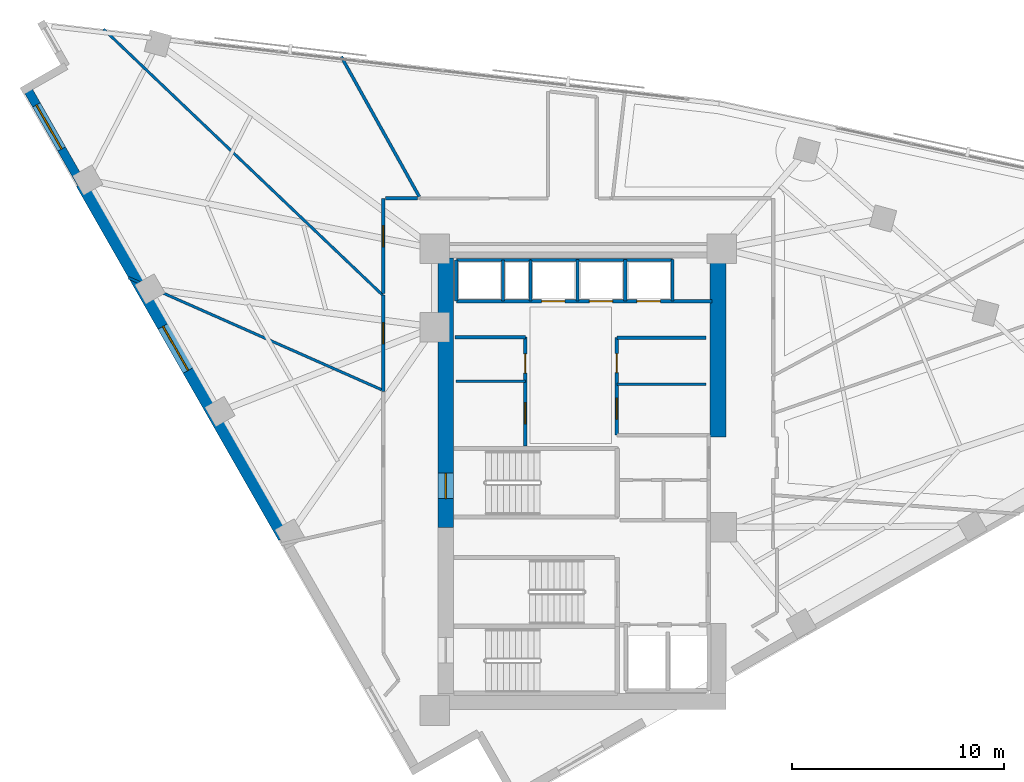
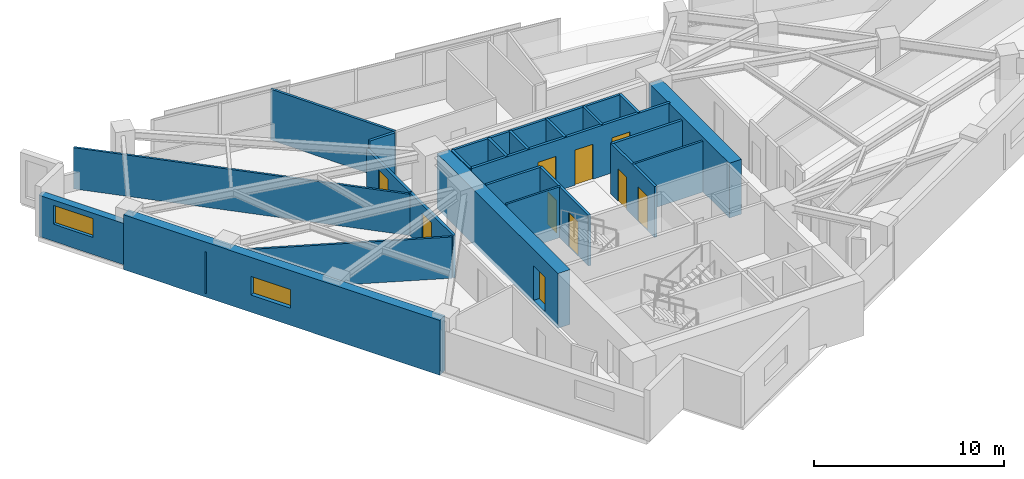
# One storey, part 10 of 14: 25 walls, 10 doors, 2 windows, 12 openings.
"""IFC4 building model written with IfcOpenShell, lengths in metres."""

from ifc_helpers import new_model, si_unit, direction, frame, frame_2d, origin, place, context, subcontext, project, spatial, rectangle, extrude, material, layer, layer_set, type_object, element, fill, save


model = new_model("IFC4")

# Units and contexts
model_context = context("Model", 3, precision=1e-05, world=origin(), true_north=direction((0.0, 1.0)))
body_context = subcontext(model_context, "Body", "Model", "MODEL_VIEW")
ifc_project = project(units=[si_unit("LENGTHUNIT", "METRE"), si_unit("AREAUNIT", "SQUARE_METRE"), si_unit("VOLUMEUNIT", "CUBIC_METRE"), si_unit("PLANEANGLEUNIT", "RADIAN"), si_unit("MASSUNIT", "GRAM", prefix="KILO")], contexts=[model_context])

# Site, building, storey
site_placement = place(None, origin())
site = spatial("IfcSite", under=ifc_project, at=site_placement, CompositionType="ELEMENT")
building_placement = place(site_placement, origin())
building = spatial("IfcBuilding", under=site, at=building_placement, Name="Narakoshi Arena Tower", CompositionType="ELEMENT")
storey_placement = place(building_placement, frame((0.0, 0.0, 218.5)))
storey = spatial("IfcBuildingStorey", under=building, at=storey_placement, Name="L59", CompositionType="ELEMENT", Elevation=218.5)

# Wall, opening, door
ifc_material_1 = material(Name="Concrete C50/60", Category="concrete")
ifc_layer_1 = layer(ifc_material_1, 0.75)
ifc_layer_set_1 = layer_set([ifc_layer_1], Name="Concrete C50/60")
wall_type_1 = type_object("IfcWallType", Name="WL-CORE-750", PredefinedType="SHEAR", material=ifc_layer_set_1)
wall_1_placement = place(storey_placement, frame((72.52490234375, 43.35009765625, -0.260009765625), z_axis=(0.0, 0.0, 1.0), x_axis=(0.0, 1.0, 0.0)))
wall_1 = element("IfcWall", 1, at=wall_1_placement, inside=storey, type_object=wall_type_1, Name="L59 Main Core Shear Wall CW-MN-W", PredefinedType="SHEAR", context=body_context, shape_type="SweptSolid", body=[
    extrude(rectangle(XDim=12.699951171875, YDim=0.75, at=frame_2d((6.35009765625, 0.0))), origin(), (0.0, 0.0, 1.0), 3.52001953125),
])
opening_1_placement = place(wall_1_placement, frame((1.35009765625, 0.0, 0.260009765625)))
opening_1 = element("IfcOpeningElement", 2, at=opening_1_placement, cuts=wall_1, Name="Opening D-03", PredefinedType="OPENING", context=body_context, shape_type="SweptSolid", body=[
    extrude(rectangle(XDim=1.199951171875, YDim=2.199951171875, at=frame_2d((0.60009765625, 1.10009765625))), frame((0.0, 0.385009765625, 0.0), z_axis=(0.0, -1.0, 0.0), x_axis=(1.0, 0.0, 0.0)), (0.0, 0.0, 1.0), 0.77001953125),
])
ifc_material_2 = material(Name="Painted galvanized steel", Category="steel")
door_type_1 = type_object("IfcDoorType", Name="DR-STR-1200", OperationType="NOTDEFINED", PredefinedType="USERDEFINED", material=ifc_material_2)
door_1_placement = place(opening_1_placement, frame((1.199951171875, 0.0, 0.0), z_axis=(0.0, 0.0, 1.0), x_axis=(-1.0, 0.0, 0.0)))
door_1 = element("IfcDoor", 3, at=door_1_placement, inside=storey, type_object=door_type_1, Name="DR-L59-006", ObjectType="EXITDOOR", OperationType="SINGLE_SWING_LEFT", OverallHeight=2.199951171875, OverallWidth=1.199951171875, PredefinedType="USERDEFINED", context=body_context, shape_type="SweptSolid", body=[
    extrude(rectangle(XDim=1.199951171875, YDim=2.199951171875, at=frame_2d((0.60009765625, 1.10009765625))), frame((0.0, 0.02490234375, 0.0), z_axis=(0.0, -1.0, 0.0), x_axis=(1.0, 0.0, 0.0)), (0.0, 0.0, 1.0), 0.050048828125),
])
fill(opening_1, door_1)

# Wall
wall_2_placement = place(storey_placement, frame((85.375, 47.60009765625, -0.260009765625), z_axis=(0.0, 0.0, 1.0), x_axis=(0.0, 1.0, 0.0)))
element("IfcWall", 4, at=wall_2_placement, inside=storey, type_object=wall_type_1, Name="L59 Main Core Shear Wall CW-MN-E", PredefinedType="SHEAR", context=body_context, shape_type="SweptSolid", body=[
    extrude(rectangle(XDim=8.449951171875, YDim=0.75, at=frame_2d((4.22509765625, 0.0))), origin(), (0.0, 0.0, 1.0), 3.52001953125),
])

# Wall, opening, door
ifc_material_3 = material(Name="Gypsum plasterboard fire-rated partition")
ifc_layer_2 = layer(ifc_material_3, 0.1650390625)
ifc_layer_set_2 = layer_set([ifc_layer_2], Name="Gypsum plasterboard fire-rated partition")
wall_type_2 = type_object("IfcWallType", Name="WL-CORR-165", PredefinedType="PARTITIONING", material=ifc_layer_set_2)
wall_3_placement = place(storey_placement, frame((69.577880859375, 54.30322265625, 0.0), z_axis=(0.0, 0.0, 1.0), x_axis=(0.0, -1.0, 0.0)))
wall_3 = element("IfcWall", 5, at=wall_3_placement, inside=storey, type_object=wall_type_2, Name="L59 Corridor Partition 07-1", PredefinedType="PARTITIONING", context=body_context, shape_type="SweptSolid", body=[
    extrude(rectangle(XDim=4.53564453125, YDim=0.1650390625, at=frame_2d((2.267822265625, 0.0))), origin(), (0.0, 0.0, 1.0), 2.7451171875),
])
opening_2_placement = place(wall_3_placement, frame((1.297607421875, 0.0, 0.0)))
opening_2 = element("IfcOpeningElement", 6, at=opening_2_placement, cuts=wall_3, Name="Opening D-06", PredefinedType="OPENING", context=body_context, shape_type="SweptSolid", body=[
    extrude(rectangle(XDim=1.0, YDim=2.199951171875, at=frame_2d((0.5, 1.10009765625))), frame((0.0, 0.092529296875, 0.0), z_axis=(0.0, -1.0, 0.0), x_axis=(1.0, 0.0, 0.0)), (0.0, 0.0, 1.0), 0.18505859375),
])
ifc_material_4 = material(Name="Stained oak solid-core timber", Category="wood")
door_type_2 = type_object("IfcDoorType", Name="DR-OFF-1000", OperationType="NOTDEFINED", PredefinedType="DOOR", material=ifc_material_4)
door_2_placement = place(opening_2_placement, frame((1.0, 0.0, 0.0), z_axis=(0.0, 0.0, 1.0), x_axis=(-1.0, 0.0, 0.0)))
door_2 = element("IfcDoor", 7, at=door_2_placement, inside=storey, type_object=door_type_2, Name="DR-L59-023", OperationType="SINGLE_SWING_LEFT", OverallHeight=2.199951171875, OverallWidth=1.0, PredefinedType="DOOR", context=body_context, shape_type="SweptSolid", body=[
    extrude(rectangle(XDim=1.0, YDim=2.199951171875, at=frame_2d((0.5, 1.10009765625))), frame((0.0, 0.02490234375, 0.0), z_axis=(0.0, -1.0, 0.0), x_axis=(1.0, 0.0, 0.0)), (0.0, 0.0, 1.0), 0.050048828125),
])
fill(opening_2, door_2)

wall_4_placement = place(storey_placement, frame((69.577880859375, 58.872314453125, 0.0), z_axis=(0.0, 0.0, 1.0), x_axis=(0.0, -1.0, 0.0)))
wall_4 = element("IfcWall", 8, at=wall_4_placement, inside=storey, type_object=wall_type_2, Name="L59 Corridor Partition 08-1", PredefinedType="PARTITIONING", context=body_context, shape_type="SweptSolid", body=[
    extrude(rectangle(XDim=4.492919921875, YDim=0.1650390625, at=frame_2d((2.24658203125, 0.0))), origin(), (0.0, 0.0, 1.0), 2.7451171875),
])
opening_3_placement = place(wall_4_placement, frame((1.282470703125, 0.0, 0.0)))
opening_3 = element("IfcOpeningElement", 9, at=opening_3_placement, cuts=wall_4, Name="Opening D-06", PredefinedType="OPENING", context=body_context, shape_type="SweptSolid", body=[
    extrude(rectangle(XDim=1.0, YDim=2.199951171875, at=frame_2d((0.5, 1.10009765625))), frame((0.0, 0.092529296875, 0.0), z_axis=(0.0, -1.0, 0.0), x_axis=(1.0, 0.0, 0.0)), (0.0, 0.0, 1.0), 0.18505859375),
])
door_3_placement = place(opening_3_placement, frame((1.0, 0.0, 0.0), z_axis=(0.0, 0.0, 1.0), x_axis=(-1.0, 0.0, 0.0)))
door_3 = element("IfcDoor", 10, at=door_3_placement, inside=storey, type_object=door_type_2, Name="DR-L59-024", OperationType="SINGLE_SWING_RIGHT", OverallHeight=2.199951171875, OverallWidth=1.0, PredefinedType="DOOR", context=body_context, shape_type="SweptSolid", body=[
    extrude(rectangle(XDim=1.0, YDim=2.199951171875, at=frame_2d((0.5, 1.10009765625))), frame((0.0, 0.02490234375, 0.0), z_axis=(0.0, -1.0, 0.0), x_axis=(1.0, 0.0, 0.0)), (0.0, 0.0, 1.0), 0.050048828125),
])
fill(opening_3, door_3)

# Wall
wall_5_placement = place(storey_placement, frame((71.1923828125, 58.872314453125, 0.0), z_axis=(0.0, 0.0, 1.0), x_axis=(-1.0, 0.0, 0.0)))
element("IfcWall", 11, at=wall_5_placement, inside=storey, type_object=wall_type_2, Name="L59 Corridor Partition 08-2", PredefinedType="PARTITIONING", context=body_context, shape_type="SweptSolid", body=[
    extrude(rectangle(XDim=1.52001953125, YDim=0.1650390625, at=frame_2d((0.760009765625, 0.0))), origin(), (0.0, 0.0, 1.0), 3.260009765625),
])

# Wall, opening, window
ifc_layer_3 = layer(ifc_material_1, 0.550048828125)
ifc_layer_set_3 = layer_set([ifc_layer_3], Name="Concrete C50/60")
wall_type_3 = type_object("IfcWallType", Name="WL-LEG-550", PredefinedType="SHEAR", material=ifc_layer_set_3)
wall_6_placement = place(storey_placement, frame((55.3251953125, 59.5703125, -0.260009765625), z_axis=(0.0, 0.0, 1.0), x_axis=(0.496211351597, -0.868201759124, 0.0)))
wall_6 = element("IfcWall", 12, at=wall_6_placement, inside=storey, type_object=wall_type_3, Name="L59 Architectural Concrete Structural Wall LEGB-2", PredefinedType="SHEAR", context=body_context, shape_type="SweptSolid", body=[
    extrude(rectangle(XDim=19.242919921875, YDim=0.550048828125, at=frame_2d((9.62158203125, 0.0))), origin(), (0.0, 0.0, 1.0), 3.52001953125),
])
opening_4_placement = place(wall_6_placement, frame((7.7568359375, 0.0, 1.10009765625)))
opening_4 = element("IfcOpeningElement", 13, at=opening_4_placement, cuts=wall_6, Name="Opening WN-04", PredefinedType="OPENING", context=body_context, shape_type="SweptSolid", body=[
    extrude(rectangle(XDim=2.39990234375, YDim=1.199951171875, at=frame_2d((1.199951171875, 0.60009765625))), frame((0.0, 0.284912109375, 0.0), z_axis=(0.0, -1.0, 0.0), x_axis=(1.0, 0.0, 0.0)), (0.0, 0.0, 1.0), 0.570068359375),
])
ifc_material_5 = material(Name="Bronze-tinted low-E laminated glass", Category="glass")
window_type = type_object("IfcWindowType", Name="WIN-SLT-24x12", PartitioningType="SINGLE_PANEL", PredefinedType="WINDOW", material=ifc_material_5)
window_1_placement = place(opening_4_placement, origin())
window_1 = element("IfcWindow", 14, at=window_1_placement, inside=storey, type_object=window_type, Name="L59 LEGB2 Horizontal Slot Window 1", OverallHeight=1.199951171875, OverallWidth=2.39990234375, PartitioningType="SINGLE_PANEL", PredefinedType="WINDOW", context=body_context, shape_type="SweptSolid", body=[
    extrude(rectangle(XDim=2.39990234375, YDim=1.199951171875, at=frame_2d((1.199951171875, 0.60009765625))), frame((0.0, 0.030029296875, 0.0), z_axis=(0.0, -1.0, 0.0), x_axis=(1.0, 0.0, 0.0)), (0.0, 0.0, 1.0), 0.06005859375),
])
fill(opening_4, window_1)

# Walls
ifc_layer_4 = layer(ifc_material_3, 0.125)
ifc_layer_set_4 = layer_set([ifc_layer_4], Name="Gypsum plasterboard fire-rated partition")
wall_type_4 = type_object("IfcWallType", Name="WL-PART-125", PredefinedType="PARTITIONING", material=ifc_layer_set_4)
wall_7_placement = place(storey_placement, frame((73.0, 50.25, 0.0), z_axis=(0.0, 0.0, 1.0), x_axis=(1.0, 0.0, 0.0)))
element("IfcWall", 15, at=wall_7_placement, inside=storey, type_object=wall_type_4, Name="L59 Core Wall RCL-LR-D2", PredefinedType="PARTITIONING", context=body_context, shape_type="SweptSolid", body=[
    extrude(rectangle(XDim=3.280029296875, YDim=0.125, at=frame_2d((1.64013671875, 0.0))), origin(), (0.0, 0.0, 1.0), 3.260009765625),
])
wall_8_placement = place(storey_placement, frame((80.60009765625, 50.10009765625, 0.0), z_axis=(0.0, 0.0, 1.0), x_axis=(1.0, 0.0, 0.0)))
element("IfcWall", 16, at=wall_8_placement, inside=storey, type_object=wall_type_4, Name="L59 Core Wall RCL-MR-D", PredefinedType="PARTITIONING", context=body_context, shape_type="SweptSolid", body=[
    extrude(rectangle(XDim=4.219970703125, YDim=0.125, at=frame_2d((2.10986328125, 0.0))), origin(), (0.0, 0.0, 1.0), 3.260009765625),
])
wall_9_placement = place(storey_placement, frame((56.370361328125, 66.86328125, 0.0), z_axis=(0.0, 0.0, 1.0), x_axis=(0.723906361949, -0.689898238243, 0.0)))
element("IfcWall", 17, at=wall_9_placement, inside=storey, type_object=wall_type_4, Name="L59 Inter-Room Partition 07-08", PredefinedType="PARTITIONING", context=body_context, shape_type="SweptSolid", body=[
    extrude(rectangle(XDim=18.20556640625, YDim=0.125, at=frame_2d((9.102783203125, 0.0))), origin(), (0.0, 0.0, 1.0), 2.64501953125),
])
wall_10_placement = place(storey_placement, frame((69.4833984375, 49.8486328125, 0.0), z_axis=(0.0, 0.0, 1.0), x_axis=(-0.914531345425, 0.404515040802, 0.0)))
element("IfcWall", 18, at=wall_10_placement, inside=storey, type_object=wall_type_4, Name="L59 Inter-Room Partition 07-09", PredefinedType="PARTITIONING", context=body_context, shape_type="SweptSolid", body=[
    extrude(rectangle(XDim=13.051513671875, YDim=0.125, at=frame_2d((6.52587890625, 0.0))), origin(), (0.0, 0.0, 1.0), 2.64501953125),
])

# Wall, opening, window
ifc_material_6 = material(Name="Precast concrete C45/55", Category="concrete")
ifc_layer_5 = layer(ifc_material_6, 0.419921875)
ifc_layer_set_5 = layer_set([ifc_layer_5], Name="Precast concrete C45/55")
wall_type_5 = type_object("IfcWallType", Name="WL-POD-420", PredefinedType="SOLIDWALL", material=ifc_layer_set_5)
wall_11_placement = place(storey_placement, frame((52.75439453125, 64.068359375, 0.0), z_axis=(0.0, 0.0, 1.0), x_axis=(0.496209984367, -0.868202540548, 0.0)))
wall_11 = element("IfcWall", 19, at=wall_11_placement, inside=storey, type_object=wall_type_5, Name="L59 Architectural Concrete Facade Wall LEGB-1", PredefinedType="SOLIDWALL", context=body_context, shape_type="SweptSolid", body=[
    extrude(rectangle(XDim=5.180908203125, YDim=0.419921875, at=frame_2d((2.59033203125, 0.0))), origin(), (0.0, 0.0, 1.0), 2.64501953125),
])
opening_5_placement = place(wall_11_placement, frame((0.89990234375, 0.0, 1.10009765625)))
opening_5 = element("IfcOpeningElement", 20, at=opening_5_placement, cuts=wall_11, Name="Opening WN-04", PredefinedType="OPENING", context=body_context, shape_type="SweptSolid", body=[
    extrude(rectangle(XDim=2.39990234375, YDim=1.199951171875, at=frame_2d((1.199951171875, 0.60009765625))), frame((0.0, 0.219970703125, 0.0), z_axis=(0.0, -1.0, 0.0), x_axis=(1.0, 0.0, 0.0)), (0.0, 0.0, 1.0), 0.43994140625),
])
window_2_placement = place(opening_5_placement, origin())
window_2 = element("IfcWindow", 21, at=window_2_placement, inside=storey, type_object=window_type, Name="L59 LEGB1 Horizontal Slot Window 1", OverallHeight=1.199951171875, OverallWidth=2.39990234375, PartitioningType="SINGLE_PANEL", PredefinedType="WINDOW", context=body_context, shape_type="SweptSolid", body=[
    extrude(rectangle(XDim=2.39990234375, YDim=1.199951171875, at=frame_2d((1.199951171875, 0.60009765625))), frame((0.0, 0.030029296875, 0.0), z_axis=(0.0, -1.0, 0.0), x_axis=(1.0, 0.0, 0.0)), (0.0, 0.0, 1.0), 0.06005859375),
])
fill(opening_5, window_2)

# Walls
ifc_material_7 = material(Name="Concrete C40/50", Category="concrete")
ifc_layer_6 = layer(ifc_material_7, 0.280029296875)
ifc_layer_set_6 = layer_set([ifc_layer_6], Name="Concrete C40/50")
wall_type_6 = type_object("IfcWallType", Name="WL-RISER-280", PredefinedType="PLUMBINGWALL", material=ifc_layer_set_6)
for number, where, z_axis, x_axis, name in (
    (22, (73.02001953125, 54.02001953125, 0.0), (0.0, 0.0, 1.0), (0.0, 1.0, 0.0), "L59 Core Wall OBS-W"),
    (23, (75.219970703125, 54.02001953125, 0.0), (0.0, 0.0, 1.0), (0.0, 1.0, 0.0), "L59 Core Wall OBS-M"),
):
    element("IfcWall", number, at=place(storey_placement, frame(where, z_axis=z_axis, x_axis=x_axis)), inside=storey, type_object=wall_type_6, Name=name, PredefinedType="PLUMBINGWALL", context=body_context, shape_type="SweptSolid", body=[
        extrude(rectangle(XDim=1.93994140625, YDim=0.14990234375, at=frame_2d((0.969970703125, 0.0))), origin(), (0.0, 0.0, 1.0), 3.260009765625),
    ])
for number, where, z_axis, x_axis, name in (
    (24, (78.75, 54.02001953125, 0.0), (0.0, 0.0, 1.0), (0.0, 1.0, 0.0), "L59 Core Wall HR-D1"),
    (25, (81.0, 54.02001953125, 0.0), (0.0, 0.0, 1.0), (0.0, 1.0, 0.0), "L59 Core Wall HR-D2"),
):
    element("IfcWall", number, at=place(storey_placement, frame(where, z_axis=z_axis, x_axis=x_axis)), inside=storey, type_object=wall_type_6, Name=name, PredefinedType="PLUMBINGWALL", context=body_context, shape_type="SweptSolid", body=[
        extrude(rectangle(XDim=1.9599609375, YDim=0.14990234375, at=frame_2d((0.97998046875, 0.0))), origin(), (0.0, 0.0, 1.0), 3.260009765625),
    ])

# Wall, openings, doors
ifc_layer_7 = layer(ifc_material_1, 0.35009765625)
ifc_layer_set_7 = layer_set([ifc_layer_7], Name="Concrete C50/60")
wall_type_7 = type_object("IfcWallType", Name="WL-SHAFT-350", PredefinedType="SOLIDWALL", material=ifc_layer_set_7)
wall_12_placement = place(storey_placement, frame((76.280029296875, 47.179931640625, 0.0), z_axis=(0.0, 0.0, 1.0), x_axis=(0.0, 1.0, 0.0)))
wall_12 = element("IfcWall", 26, at=wall_12_placement, inside=storey, type_object=wall_type_7, Name="L59 Core Wall LR-E", PredefinedType="SOLIDWALL", context=body_context, shape_type="SweptSolid", body=[
    extrude(rectangle(XDim=5.14013671875, YDim=0.159912109375, at=frame_2d((2.570068359375, 0.0))), origin(), (0.0, 0.0, 1.0), 3.260009765625),
])
opening_6_placement = place(wall_12_placement, frame((1.050048828125, 0.0, 0.0)))
opening_6 = element("IfcOpeningElement", 27, at=opening_6_placement, cuts=wall_12, Name="Opening D-06", PredefinedType="OPENING", context=body_context, shape_type="SweptSolid", body=[
    extrude(rectangle(XDim=1.0, YDim=2.199951171875, at=frame_2d((0.5, 1.10009765625))), frame((0.0, 0.08984375, 0.0), z_axis=(0.0, -1.0, 0.0), x_axis=(1.0, 0.0, 0.0)), (0.0, 0.0, 1.0), 0.179931640625),
])
opening_7_placement = place(wall_12_placement, frame((3.449951171875, 0.0, 0.0)))
opening_7 = element("IfcOpeningElement", 28, at=opening_7_placement, cuts=wall_12, Name="Opening D-08", PredefinedType="OPENING", context=body_context, shape_type="SweptSolid", body=[
    extrude(rectangle(XDim=0.89990234375, YDim=2.10009765625, at=frame_2d((0.449951171875, 1.050048828125))), frame((0.0, 0.08984375, 0.0), z_axis=(0.0, -1.0, 0.0), x_axis=(1.0, 0.0, 0.0)), (0.0, 0.0, 1.0), 0.179931640625),
])
door_4_placement = place(opening_6_placement, frame((1.0, 0.0, 0.0), z_axis=(0.0, 0.0, 1.0), x_axis=(-1.0, 0.0, 0.0)))
door_4 = element("IfcDoor", 29, at=door_4_placement, inside=storey, type_object=door_type_2, Name="DR-L59-010", OperationType="SINGLE_SWING_RIGHT", OverallHeight=2.199951171875, OverallWidth=1.0, PredefinedType="DOOR", context=body_context, shape_type="SweptSolid", body=[
    extrude(rectangle(XDim=1.0, YDim=2.199951171875, at=frame_2d((0.5, 1.10009765625))), frame((0.0, 0.02490234375, 0.0), z_axis=(0.0, -1.0, 0.0), x_axis=(1.0, 0.0, 0.0)), (0.0, 0.0, 1.0), 0.050048828125),
])
fill(opening_6, door_4)
ifc_material_8 = material(Name="Moisture-resistant laminate timber", Category="wood")
door_type_3 = type_object("IfcDoorType", Name="DR-WC-900", OperationType="NOTDEFINED", PredefinedType="DOOR", material=ifc_material_8)
door_5_placement = place(opening_7_placement, frame((0.89990234375, 0.0, 0.0), z_axis=(0.0, 0.0, 1.0), x_axis=(-1.0, 0.0, 0.0)))
door_5 = element("IfcDoor", 30, at=door_5_placement, inside=storey, type_object=door_type_3, Name="DR-L59-011", OperationType="SINGLE_SWING_LEFT", OverallHeight=2.10009765625, OverallWidth=0.89990234375, PredefinedType="DOOR", context=body_context, shape_type="SweptSolid", body=[
    extrude(rectangle(XDim=0.89990234375, YDim=2.10009765625, at=frame_2d((0.449951171875, 1.050048828125))), frame((0.0, 0.02490234375, 0.0), z_axis=(0.0, -1.0, 0.0), x_axis=(1.0, 0.0, 0.0)), (0.0, 0.0, 1.0), 0.050048828125),
])
fill(opening_7, door_5)

# Wall
wall_13_placement = place(storey_placement, frame((72.949951171875, 52.320068359375, 0.0), z_axis=(0.0, 0.0, 1.0), x_axis=(1.0, 0.0, 0.0)))
element("IfcWall", 31, at=wall_13_placement, inside=storey, type_object=wall_type_7, Name="L59 Core Wall LR-N", PredefinedType="SOLIDWALL", context=body_context, shape_type="SweptSolid", body=[
    extrude(rectangle(XDim=3.330078125, YDim=0.14990234375, at=frame_2d((1.6650390625, 0.0))), origin(), (0.0, 0.0, 1.0), 3.260009765625),
])

# Wall, openings, doors
wall_14_placement = place(storey_placement, frame((80.60009765625, 47.699951171875, 0.0), z_axis=(0.0, 0.0, 1.0), x_axis=(0.0, 1.0, 0.0)))
wall_14 = element("IfcWall", 32, at=wall_14_placement, inside=storey, type_object=wall_type_7, Name="L59 Core Wall MR-W", PredefinedType="SOLIDWALL", context=body_context, shape_type="SweptSolid", body=[
    extrude(rectangle(XDim=4.60009765625, YDim=0.159912109375, at=frame_2d((2.300048828125, 0.0))), origin(), (0.0, 0.0, 1.0), 3.260009765625),
])
opening_8_placement = place(wall_14_placement, frame((0.75, 0.0, 0.0)))
opening_8 = element("IfcOpeningElement", 33, at=opening_8_placement, cuts=wall_14, Name="Opening D-06", PredefinedType="OPENING", context=body_context, shape_type="SweptSolid", body=[
    extrude(rectangle(XDim=1.0, YDim=2.199951171875, at=frame_2d((0.5, 1.10009765625))), frame((0.0, 0.08984375, 0.0), z_axis=(0.0, -1.0, 0.0), x_axis=(1.0, 0.0, 0.0)), (0.0, 0.0, 1.0), 0.179931640625),
])
opening_9_placement = place(wall_14_placement, frame((2.949951171875, 0.0, 0.0)))
opening_9 = element("IfcOpeningElement", 34, at=opening_9_placement, cuts=wall_14, Name="Opening D-08", PredefinedType="OPENING", context=body_context, shape_type="SweptSolid", body=[
    extrude(rectangle(XDim=0.89990234375, YDim=2.10009765625, at=frame_2d((0.449951171875, 1.050048828125))), frame((0.0, 0.08984375, 0.0), z_axis=(0.0, -1.0, 0.0), x_axis=(1.0, 0.0, 0.0)), (0.0, 0.0, 1.0), 0.179931640625),
])
door_6_placement = place(opening_8_placement, origin())
door_6 = element("IfcDoor", 35, at=door_6_placement, inside=storey, type_object=door_type_2, Name="DR-L59-012", OperationType="SINGLE_SWING_RIGHT", OverallHeight=2.199951171875, OverallWidth=1.0, PredefinedType="DOOR", context=body_context, shape_type="SweptSolid", body=[
    extrude(rectangle(XDim=1.0, YDim=2.199951171875, at=frame_2d((0.5, 1.10009765625))), frame((0.0, 0.02490234375, 0.0), z_axis=(0.0, -1.0, 0.0), x_axis=(1.0, 0.0, 0.0)), (0.0, 0.0, 1.0), 0.050048828125),
])
fill(opening_8, door_6)
door_7_placement = place(opening_9_placement, origin())
door_7 = element("IfcDoor", 36, at=door_7_placement, inside=storey, type_object=door_type_3, Name="DR-L59-013", OperationType="SINGLE_SWING_LEFT", OverallHeight=2.10009765625, OverallWidth=0.89990234375, PredefinedType="DOOR", context=body_context, shape_type="SweptSolid", body=[
    extrude(rectangle(XDim=0.89990234375, YDim=2.10009765625, at=frame_2d((0.449951171875, 1.050048828125))), frame((0.0, 0.02490234375, 0.0), z_axis=(0.0, -1.0, 0.0), x_axis=(1.0, 0.0, 0.0)), (0.0, 0.0, 1.0), 0.050048828125),
])
fill(opening_9, door_7)

# Wall
wall_15_placement = place(storey_placement, frame((80.60009765625, 52.300048828125, 0.0), z_axis=(0.0, 0.0, 1.0), x_axis=(1.0, 0.0, 0.0)))
element("IfcWall", 37, at=wall_15_placement, inside=storey, type_object=wall_type_7, Name="L59 Core Wall MR-N", PredefinedType="SOLIDWALL", context=body_context, shape_type="SweptSolid", body=[
    extrude(rectangle(XDim=4.219970703125, YDim=0.159912109375, at=frame_2d((2.10986328125, 0.0))), origin(), (0.0, 0.0, 1.0), 3.260009765625),
])

# Wall, openings, doors
wall_16_placement = place(storey_placement, frame((73.02001953125, 54.02001953125, 0.0), z_axis=(0.0, 0.0, 1.0), x_axis=(1.0, 0.0, 0.0)))
wall_16 = element("IfcWall", 38, at=wall_16_placement, inside=storey, type_object=wall_type_7, Name="L59 Core Wall NSHF-S", PredefinedType="SOLIDWALL", context=body_context, shape_type="SweptSolid", body=[
    extrude(rectangle(XDim=12.080078125, YDim=0.159912109375, at=frame_2d((6.0400390625, 0.0))), origin(), (0.0, 0.0, 1.0), 3.260009765625),
])
opening_10_placement = place(wall_16_placement, frame((4.030029296875, 0.0, 0.0)))
opening_10 = element("IfcOpeningElement", 39, at=opening_10_placement, cuts=wall_16, Name="Opening LD-01", PredefinedType="OPENING", context=body_context, shape_type="SweptSolid", body=[
    extrude(rectangle(XDim=1.10009765625, YDim=2.25, at=frame_2d((0.550048828125, 1.125))), frame((0.0, 0.08984375, 0.0), z_axis=(0.0, -1.0, 0.0), x_axis=(1.0, 0.0, 0.0)), (0.0, 0.0, 1.0), 0.179931640625),
])
opening_11_placement = place(wall_16_placement, frame((6.280029296875, 0.0, 0.0)))
opening_11 = element("IfcOpeningElement", 40, at=opening_11_placement, cuts=wall_16, Name="Opening LD-01", PredefinedType="OPENING", context=body_context, shape_type="SweptSolid", body=[
    extrude(rectangle(XDim=1.10009765625, YDim=2.25, at=frame_2d((0.550048828125, 1.125))), frame((0.0, 0.08984375, 0.0), z_axis=(0.0, -1.0, 0.0), x_axis=(1.0, 0.0, 0.0)), (0.0, 0.0, 1.0), 0.179931640625),
])
opening_12_placement = place(wall_16_placement, frame((8.530029296875, 0.0, 0.0)))
opening_12 = element("IfcOpeningElement", 41, at=opening_12_placement, cuts=wall_16, Name="Opening LD-01", PredefinedType="OPENING", context=body_context, shape_type="SweptSolid", body=[
    extrude(rectangle(XDim=1.10009765625, YDim=2.25, at=frame_2d((0.550048828125, 1.125))), frame((0.0, 0.08984375, 0.0), z_axis=(0.0, -1.0, 0.0), x_axis=(1.0, 0.0, 0.0)), (0.0, 0.0, 1.0), 0.179931640625),
])
ifc_material_9 = material(Name="Brushed bronze stainless steel", Category="steel")
door_type_4 = type_object("IfcDoorType", Name="DR-LFT-1100", OperationType="DOUBLE_DOOR_SLIDING", PredefinedType="DOOR", material=ifc_material_9)
door_8_placement = place(opening_10_placement, origin())
door_8 = element("IfcDoor", 42, at=door_8_placement, inside=storey, type_object=door_type_4, Name="DR-L59-014", OperationType="DOUBLE_DOOR_SLIDING", OverallHeight=2.25, OverallWidth=1.10009765625, PredefinedType="DOOR", context=body_context, shape_type="SweptSolid", body=[
    extrude(rectangle(XDim=1.10009765625, YDim=2.25, at=frame_2d((0.550048828125, 1.125))), frame((0.0, 0.02490234375, 0.0), z_axis=(0.0, -1.0, 0.0), x_axis=(1.0, 0.0, 0.0)), (0.0, 0.0, 1.0), 0.050048828125),
])
fill(opening_10, door_8)
door_9_placement = place(opening_11_placement, origin())
door_9 = element("IfcDoor", 43, at=door_9_placement, inside=storey, type_object=door_type_4, Name="DR-L59-015", OperationType="DOUBLE_DOOR_SLIDING", OverallHeight=2.25, OverallWidth=1.10009765625, PredefinedType="DOOR", context=body_context, shape_type="SweptSolid", body=[
    extrude(rectangle(XDim=1.10009765625, YDim=2.25, at=frame_2d((0.550048828125, 1.125))), frame((0.0, 0.02490234375, 0.0), z_axis=(0.0, -1.0, 0.0), x_axis=(1.0, 0.0, 0.0)), (0.0, 0.0, 1.0), 0.050048828125),
])
fill(opening_11, door_9)
door_10_placement = place(opening_12_placement, origin())
door_10 = element("IfcDoor", 44, at=door_10_placement, inside=storey, type_object=door_type_4, Name="DR-L59-016", OperationType="DOUBLE_DOOR_SLIDING", OverallHeight=2.25, OverallWidth=1.10009765625, PredefinedType="DOOR", context=body_context, shape_type="SweptSolid", body=[
    extrude(rectangle(XDim=1.10009765625, YDim=2.25, at=frame_2d((0.550048828125, 1.125))), frame((0.0, 0.02490234375, 0.0), z_axis=(0.0, -1.0, 0.0), x_axis=(1.0, 0.0, 0.0)), (0.0, 0.0, 1.0), 0.050048828125),
])
fill(opening_12, door_10)

# Walls
wall_17_placement = place(storey_placement, frame((73.02001953125, 55.9599609375, 0.0), z_axis=(0.0, 0.0, 1.0), x_axis=(1.0, 0.0, 0.0)))
element("IfcWall", 45, at=wall_17_placement, inside=storey, type_object=wall_type_7, Name="L59 Core Wall OBS-N", PredefinedType="SOLIDWALL", context=body_context, shape_type="SweptSolid", body=[
    extrude(rectangle(XDim=3.5, YDim=0.14990234375, at=frame_2d((1.75, 0.0))), origin(), (0.0, 0.0, 1.0), 3.260009765625),
])
wall_18_placement = place(storey_placement, frame((76.52001953125, 54.02001953125, 0.0), z_axis=(0.0, 0.0, 1.0), x_axis=(0.0, 1.0, 0.0)))
element("IfcWall", 46, at=wall_18_placement, inside=storey, type_object=wall_type_7, Name="L59 Core Wall OBS-E", PredefinedType="SOLIDWALL", context=body_context, shape_type="SweptSolid", body=[
    extrude(rectangle(XDim=1.93994140625, YDim=0.14990234375, at=frame_2d((0.969970703125, 0.0))), origin(), (0.0, 0.0, 1.0), 3.260009765625),
])
wall_19_placement = place(storey_placement, frame((83.219970703125, 54.02001953125, 0.0), z_axis=(0.0, 0.0, 1.0), x_axis=(0.0, 1.0, 0.0)))
element("IfcWall", 47, at=wall_19_placement, inside=storey, type_object=wall_type_7, Name="L59 Core Wall HR-E", PredefinedType="SOLIDWALL", context=body_context, shape_type="SweptSolid", body=[
    extrude(rectangle(XDim=1.9599609375, YDim=0.14990234375, at=frame_2d((0.97998046875, 0.0))), origin(), (0.0, 0.0, 1.0), 3.260009765625),
])
wall_20_placement = place(storey_placement, frame((76.52001953125, 55.9599609375, 0.0), z_axis=(0.0, 0.0, 1.0), x_axis=(1.0, 0.0, 0.0)))
element("IfcWall", 48, at=wall_20_placement, inside=storey, type_object=wall_type_7, Name="L59 Core Wall HR-N", PredefinedType="SOLIDWALL", context=body_context, shape_type="SweptSolid", body=[
    extrude(rectangle(XDim=6.699951171875, YDim=0.14990234375, at=frame_2d((3.35009765625, 0.0))), origin(), (0.0, 0.0, 1.0), 3.260009765625),
])
ifc_material_10 = material(Name="Moisture-resistant cement-board partition")
ifc_layer_8 = layer(ifc_material_10, 0.14501953125)
ifc_layer_set_8 = layer_set([ifc_layer_8], Name="Moisture-resistant cement-board partition")
wall_type_8 = type_object("IfcWallType", Name="WL-WET-145", PredefinedType="PARTITIONING", material=ifc_layer_set_8)
wall_21_placement = place(storey_placement, frame((71.280517578125, 58.9462890625, 0.0), z_axis=(0.0, 0.0, 1.0), x_axis=(-0.486925562198, 0.873443470912, 0.0)))
element("IfcWall", 49, at=wall_21_placement, inside=storey, type_object=wall_type_8, Name="L59 Inter-Room Partition 06-08", PredefinedType="PARTITIONING", context=body_context, shape_type="SweptSolid", body=[
    extrude(rectangle(XDim=7.576416015625, YDim=0.14501953125, at=frame_2d((3.7880859375, 0.0))), origin(), (0.0, 0.0, 1.0), 3.260009765625),
])

save(model, "model.ifc")
